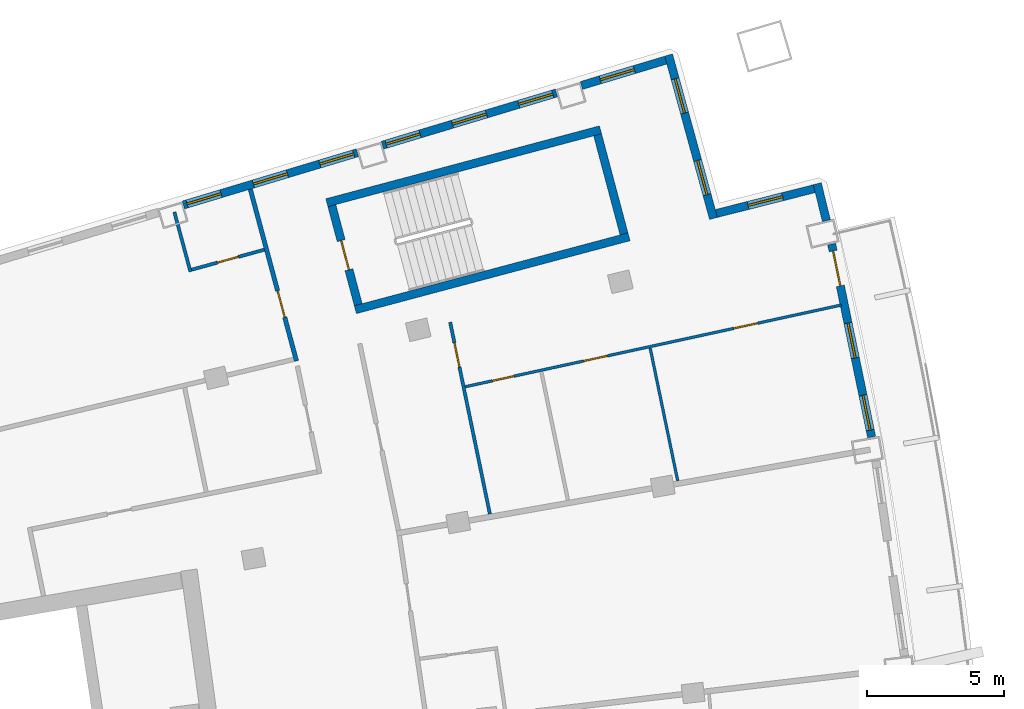
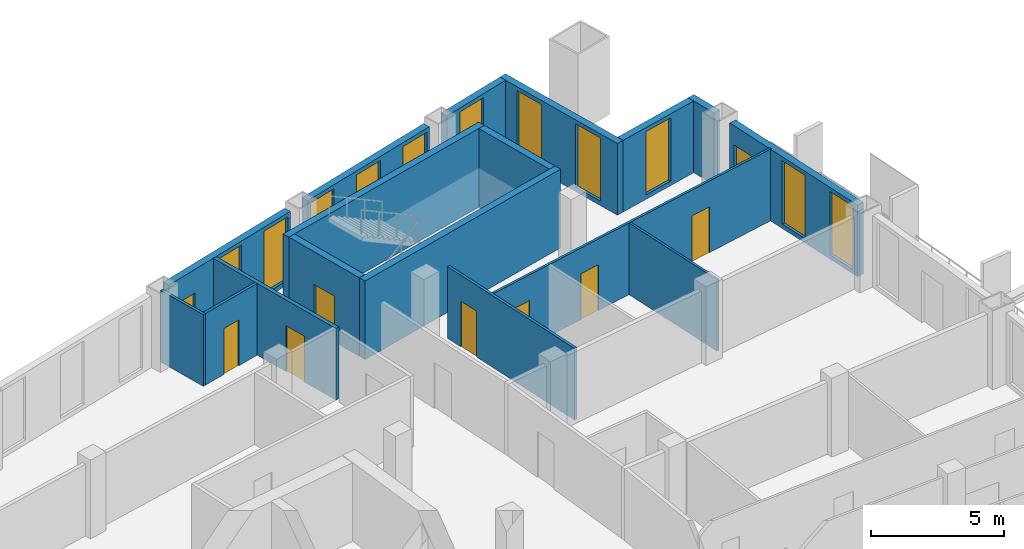
# One storey, part 15 of 19: 17 walls, 12 windows, 8 doors, 20 openings.
"""IFC4 building model written with IfcOpenShell, lengths in metres."""

from ifc_helpers import new_model, si_unit, direction, frame, frame_2d, origin, place, context, subcontext, project, spatial, rectangle, extrude, material, layer, layer_set, type_object, element, fill, save


model = new_model("IFC4")

# Units and contexts
model_context = context("Model", 3, precision=1e-05, world=origin(), true_north=direction((0.0, 1.0)))
body_context = subcontext(model_context, "Body", "Model", "MODEL_VIEW")
ifc_project = project(units=[si_unit("LENGTHUNIT", "METRE"), si_unit("AREAUNIT", "SQUARE_METRE"), si_unit("VOLUMEUNIT", "CUBIC_METRE"), si_unit("PLANEANGLEUNIT", "RADIAN"), si_unit("MASSUNIT", "GRAM", prefix="KILO")], contexts=[model_context])

# Site, building, storey
site_placement = place(None, origin())
site = spatial("IfcSite", under=ifc_project, at=site_placement, CompositionType="ELEMENT")
building_placement = place(site_placement, origin())
building = spatial("IfcBuilding", under=site, at=building_placement, Name="Alderwake Tower", CompositionType="ELEMENT")
storey_placement = place(building_placement, frame((0.0, 0.0, 192.800048828125)))
storey = spatial("IfcBuildingStorey", under=building, at=storey_placement, Name="L47", CompositionType="ELEMENT", Elevation=192.800048828125)

# Walls
ifc_material_1 = material(Name="Concrete C70/85", Category="concrete")
ifc_layer_1 = layer(ifc_material_1, 0.300048828125)
ifc_layer_set_1 = layer_set([ifc_layer_1], Name="Core wall stair enclosure 300 C70-85")
wall_type_1 = type_object("IfcWallType", Name="Core wall stair enclosure 300 C70-85", PredefinedType="SHEAR", material=ifc_layer_set_1)
for number, where, z_axis, x_axis, name in (
    (1, (36.71142578125, 94.182373046875, 0.0), (0.0, 0.0, 1.0), (0.966309214305, 0.257383958996, 0.0), "Core wall CW.082"),
    (2, (37.75390625, 90.268798828125, 0.0), (0.0, 0.0, 1.0), (0.966309214305, 0.257383958996, 0.0), "Core wall CW.084"),
):
    element("IfcWall", number, at=place(storey_placement, frame(where, z_axis=z_axis, x_axis=x_axis)), inside=storey, type_object=wall_type_1, Name=name, PredefinedType="SHEAR", context=body_context, shape_type="SweptSolid", body=[
        extrude(rectangle(XDim=10.360107421875, YDim=0.300048828125, at=frame_2d((5.18017578125, 0.0))), origin(), (0.0, 0.0, 1.0), 3.599853515625),
    ])

# Wall, opening, door
wall_1_placement = place(storey_placement, frame((37.8603515625, 90.452392578125, 0.0), z_axis=(0.0, 0.0, 1.0), x_axis=(-0.257411420208, 0.966301899381, 0.0)))
wall_1 = element("IfcWall", 3, at=wall_1_placement, inside=storey, type_object=wall_type_1, Name="Core wall CW.083", PredefinedType="SHEAR", context=body_context, shape_type="SweptSolid", body=[
    extrude(rectangle(XDim=3.750244140625, YDim=0.300048828125, at=frame_2d((1.875, 0.0))), origin(), (0.0, 0.0, 1.0), 3.599853515625),
])
opening_1_placement = place(wall_1_placement, frame((1.324951171875, 0.0, 0.0)))
opening_1 = element("IfcOpeningElement", 4, at=opening_1_placement, cuts=wall_1, Name="Opening C062", PredefinedType="OPENING", context=body_context, shape_type="SweptSolid", body=[
    extrude(rectangle(XDim=1.10009765625, YDim=2.10009765625, at=frame_2d((0.550048828125, 1.050048828125))), frame((0.0, 0.159912109375, 0.0), z_axis=(0.0, -1.0, 0.0), x_axis=(1.0, 0.0, 0.0)), (0.0, 0.0, 1.0), 0.320068359375),
])
ifc_material_2 = material(Name="Steel-framed fire door leaf", Category="steel")
door_type_1 = type_object("IfcDoorType", Name="Core stair door 1100 fire-rated", OperationType="SINGLE_SWING_LEFT", PredefinedType="DOOR", material=ifc_material_2)
door_1_placement = place(opening_1_placement, origin())
door_1 = element("IfcDoor", 5, at=door_1_placement, inside=storey, type_object=door_type_1, Name="Stair door", OperationType="SINGLE_SWING_LEFT", OverallHeight=2.10009765625, OverallWidth=1.10009765625, PredefinedType="DOOR", context=body_context, shape_type="SweptSolid", body=[
    extrude(rectangle(XDim=1.10009765625, YDim=2.10009765625, at=frame_2d((0.550048828125, 1.050048828125))), frame((0.0, 0.02490234375, 0.0), z_axis=(0.0, -1.0, 0.0), x_axis=(1.0, 0.0, 0.0)), (0.0, 0.0, 1.0), 0.050048828125),
])
fill(opening_1, door_1)

# Wall
wall_2_placement = place(storey_placement, frame((47.581298828125, 93.041748046875, 0.0), z_axis=(0.0, 0.0, 1.0), x_axis=(-0.257366821694, 0.966313778796, 0.0)))
element("IfcWall", 6, at=wall_2_placement, inside=storey, type_object=wall_type_1, Name="Core wall CW.081", PredefinedType="SHEAR", context=body_context, shape_type="SweptSolid", body=[
    extrude(rectangle(XDim=3.749755859375, YDim=0.300048828125, at=frame_2d((1.875, 0.0))), origin(), (0.0, 0.0, 1.0), 3.599853515625),
])

# Wall, opening, door
ifc_material_3 = material(Name="Gypsum board on metal studs, rated")
ifc_layer_2 = layer(ifc_material_3, 0.159912109375)
ifc_layer_set_2 = layer_set([ifc_layer_2], Name="Corridor wall 160")
wall_type_2 = type_object("IfcWallType", Name="Corridor wall 160", PredefinedType="PARTITIONING", material=ifc_layer_set_2)
wall_3_placement = place(storey_placement, frame((35.600830078125, 88.392578125, 0.0), z_axis=(0.0, 0.0, 1.0), x_axis=(-0.259509260101, 0.965740619381, 0.0)))
wall_3 = element("IfcWall", 7, at=wall_3_placement, inside=storey, type_object=wall_type_2, Name="WL/L47/W14", PredefinedType="PARTITIONING", context=body_context, shape_type="SweptSolid", body=[
    extrude(rectangle(XDim=6.50732421875, YDim=0.159912109375, at=frame_2d((3.253662109375, 0.0))), origin(), (0.0, 0.0, 1.0), 3.280029296875),
])
opening_2_placement = place(wall_3_placement, frame((1.65771484375, 0.0, 0.0)))
opening_2 = element("IfcOpeningElement", 8, at=opening_2_placement, cuts=wall_3, Name="Opening R13-U09.1", PredefinedType="OPENING", context=body_context, shape_type="SweptSolid", body=[
    extrude(rectangle(XDim=1.0, YDim=2.10009765625, at=frame_2d((0.5, 1.050048828125))), frame((0.0, 0.08984375, 0.0), z_axis=(0.0, -1.0, 0.0), x_axis=(1.0, 0.0, 0.0)), (0.0, 0.0, 1.0), 0.179931640625),
])
ifc_material_4 = material(Name="Solid timber leaf in steel frame", Category="steel")
door_type_2 = type_object("IfcDoorType", Name="Flat entrance door 1000 fire-rated", OperationType="SINGLE_SWING_LEFT", PredefinedType="DOOR", material=ifc_material_4)
door_2_placement = place(opening_2_placement, origin())
door_2 = element("IfcDoor", 9, at=door_2_placement, inside=storey, type_object=door_type_2, Name="DR/L47/U09.1", OperationType="SINGLE_SWING_LEFT", OverallHeight=2.10009765625, OverallWidth=1.0, PredefinedType="DOOR", context=body_context, shape_type="SweptSolid", body=[
    extrude(rectangle(XDim=1.0, YDim=2.10009765625, at=frame_2d((0.5, 1.050048828125))), frame((0.0, 0.02490234375, 0.0), z_axis=(0.0, -1.0, 0.0), x_axis=(1.0, 0.0, 0.0)), (0.0, 0.0, 1.0), 0.050048828125),
])
fill(opening_2, door_2)

# Wall, openings, door, windows
ifc_material_5 = material(Name="Precast concrete C50/60 spandrel panel", Category="concrete")
ifc_layer_3 = layer(ifc_material_5, 0.300048828125)
ifc_layer_set_3 = layer_set([ifc_layer_3], Name="External wall EW1 Precast concrete C50/60 spandrel")
wall_type_3 = type_object("IfcWallType", Name="External wall EW1 Precast concrete C50/60 spandrel", PredefinedType="SOLIDWALL", material=ifc_layer_set_3)
wall_4_placement = place(storey_placement, frame((56.638427734375, 85.613037109375, 0.0), z_axis=(0.0, 0.0, 1.0), x_axis=(-0.202740086823, 0.979232585852, 0.0)))
wall_4 = element("IfcWall", 10, at=wall_4_placement, inside=storey, type_object=wall_type_3, Name="External wall 19", PredefinedType="SOLIDWALL", context=body_context, shape_type="SweptSolid", body=[
    extrude(rectangle(XDim=7.20361328125, YDim=0.300048828125, at=frame_2d((3.601806640625, 0.0))), origin(), (0.0, 0.0, 1.0), 3.280029296875),
])
opening_3_placement = place(wall_4_placement, frame((0.257080078125, 0.0, 0.199951171875)))
opening_3 = element("IfcOpeningElement", 11, at=opening_3_placement, cuts=wall_4, Name="Opening W1", PredefinedType="OPENING", context=body_context, shape_type="SweptSolid", body=[
    extrude(rectangle(XDim=1.300048828125, YDim=2.89990234375, at=frame_2d((0.64990234375, 1.449951171875))), frame((0.0, 0.159912109375, 0.0), z_axis=(0.0, -1.0, 0.0), x_axis=(1.0, 0.0, 0.0)), (0.0, 0.0, 1.0), 0.320068359375),
])
opening_4_placement = place(wall_4_placement, frame((2.951904296875, 0.0, 0.199951171875)))
opening_4 = element("IfcOpeningElement", 12, at=opening_4_placement, cuts=wall_4, Name="Opening W1", PredefinedType="OPENING", context=body_context, shape_type="SweptSolid", body=[
    extrude(rectangle(XDim=1.300048828125, YDim=2.89990234375, at=frame_2d((0.64990234375, 1.449951171875))), frame((0.0, 0.159912109375, 0.0), z_axis=(0.0, -1.0, 0.0), x_axis=(1.0, 0.0, 0.0)), (0.0, 0.0, 1.0), 0.320068359375),
])
opening_5_placement = place(wall_4_placement, frame((5.646484375, 0.0, 0.0)))
opening_5 = element("IfcOpeningElement", 13, at=opening_5_placement, cuts=wall_4, Name="Opening D08", PredefinedType="OPENING", context=body_context, shape_type="SweptSolid", body=[
    extrude(rectangle(XDim=1.300048828125, YDim=2.39990234375, at=frame_2d((0.64990234375, 1.199951171875))), frame((0.0, 0.159912109375, 0.0), z_axis=(0.0, -1.0, 0.0), x_axis=(1.0, 0.0, 0.0)), (0.0, 0.0, 1.0), 0.320068359375),
])
ifc_material_6 = material(Name="Bronze tinted glass in aluminium frame", Category="aluminium")
door_type_3 = type_object("IfcDoorType", Name="Balcony door BD sliding", OperationType="SLIDING_TO_LEFT", PredefinedType="DOOR", material=ifc_material_6)
door_3_placement = place(opening_5_placement, origin())
door_3 = element("IfcDoor", 14, at=door_3_placement, inside=storey, type_object=door_type_3, Name="Door D08", OperationType="SLIDING_TO_LEFT", OverallHeight=2.39990234375, OverallWidth=1.300048828125, PredefinedType="DOOR", context=body_context, shape_type="SweptSolid", body=[
    extrude(rectangle(XDim=1.300048828125, YDim=2.39990234375, at=frame_2d((0.64990234375, 1.199951171875))), frame((0.0, 0.02490234375, 0.0), z_axis=(0.0, -1.0, 0.0), x_axis=(1.0, 0.0, 0.0)), (0.0, 0.0, 1.0), 0.050048828125),
])
fill(opening_5, door_3)
ifc_material_7 = material(Name="Bronze tinted glass in aluminium frame", Category="aluminium")
window_type_1 = type_object("IfcWindowType", Name="Window W1 tall fixed and vent", PartitioningType="DOUBLE_PANEL_VERTICAL", PredefinedType="WINDOW", material=ifc_material_7)
window_1_placement = place(opening_3_placement, origin())
window_1 = element("IfcWindow", 15, at=window_1_placement, inside=storey, type_object=window_type_1, Name="Window W1 tall fixed and vent", OverallHeight=2.89990234375, OverallWidth=1.300048828125, PartitioningType="DOUBLE_PANEL_VERTICAL", PredefinedType="WINDOW", context=body_context, shape_type="SweptSolid", body=[
    extrude(rectangle(XDim=1.300048828125, YDim=2.89990234375, at=frame_2d((0.64990234375, 1.449951171875))), frame((0.0, 0.030029296875, 0.0), z_axis=(0.0, -1.0, 0.0), x_axis=(1.0, 0.0, 0.0)), (0.0, 0.0, 1.0), 0.06005859375),
])
fill(opening_3, window_1)
window_2_placement = place(opening_4_placement, origin())
window_2 = element("IfcWindow", 16, at=window_2_placement, inside=storey, type_object=window_type_1, Name="Window W1 tall fixed and vent", OverallHeight=2.89990234375, OverallWidth=1.300048828125, PartitioningType="DOUBLE_PANEL_VERTICAL", PredefinedType="WINDOW", context=body_context, shape_type="SweptSolid", body=[
    extrude(rectangle(XDim=1.300048828125, YDim=2.89990234375, at=frame_2d((0.64990234375, 1.449951171875))), frame((0.0, 0.030029296875, 0.0), z_axis=(0.0, -1.0, 0.0), x_axis=(1.0, 0.0, 0.0)), (0.0, 0.0, 1.0), 0.06005859375),
])
fill(opening_4, window_2)

# Wall
wall_5_placement = place(storey_placement, frame((54.984619140625, 93.523193359375, 0.0), z_axis=(0.0, 0.0, 1.0), x_axis=(-0.238290079451, 0.971194026977, 0.0)))
element("IfcWall", 17, at=wall_5_placement, inside=storey, type_object=wall_type_3, Name="External wall 20", PredefinedType="SOLIDWALL", context=body_context, shape_type="SweptSolid", body=[
    extrude(rectangle(XDim=1.39453125, YDim=0.300048828125, at=frame_2d((0.697265625, 0.0))), origin(), (0.0, 0.0, 1.0), 3.280029296875),
])

# Wall, opening, window
ifc_material_8 = material(Name="Bronze metal cladding on lightweight framing")
ifc_layer_4 = layer(ifc_material_8, 0.300048828125)
ifc_layer_set_4 = layer_set([ifc_layer_4], Name="External wall EW2 bronze metal cladding")
wall_type_4 = type_object("IfcWallType", Name="External wall EW2 bronze metal cladding", PredefinedType="SOLIDWALL", material=ifc_layer_set_4)
wall_6_placement = place(storey_placement, frame((54.542724609375, 94.695068359375, 0.0), z_axis=(0.0, 0.0, 1.0), x_axis=(-0.96941119971, -0.245442306614, 0.0)))
wall_6 = element("IfcWall", 18, at=wall_6_placement, inside=storey, type_object=wall_type_4, Name="External wall 21", PredefinedType="SOLIDWALL", context=body_context, shape_type="SweptSolid", body=[
    extrude(rectangle(XDim=3.6943359375, YDim=0.300048828125, at=frame_2d((1.84716796875, 0.0))), origin(), (0.0, 0.0, 1.0), 3.280029296875),
])
opening_6_placement = place(wall_6_placement, frame((1.197021484375, 0.0, 0.199951171875)))
opening_6 = element("IfcOpeningElement", 19, at=opening_6_placement, cuts=wall_6, Name="Opening W1", PredefinedType="OPENING", context=body_context, shape_type="SweptSolid", body=[
    extrude(rectangle(XDim=1.300048828125, YDim=2.89990234375, at=frame_2d((0.64990234375, 1.449951171875))), frame((0.0, 0.159912109375, 0.0), z_axis=(0.0, -1.0, 0.0), x_axis=(1.0, 0.0, 0.0)), (0.0, 0.0, 1.0), 0.320068359375),
])
window_3_placement = place(opening_6_placement, origin())
window_3 = element("IfcWindow", 20, at=window_3_placement, inside=storey, type_object=window_type_1, Name="Window W1 tall fixed and vent", OverallHeight=2.89990234375, OverallWidth=1.300048828125, PartitioningType="DOUBLE_PANEL_VERTICAL", PredefinedType="WINDOW", context=body_context, shape_type="SweptSolid", body=[
    extrude(rectangle(XDim=1.300048828125, YDim=2.89990234375, at=frame_2d((0.64990234375, 1.449951171875))), frame((0.0, 0.030029296875, 0.0), z_axis=(0.0, -1.0, 0.0), x_axis=(1.0, 0.0, 0.0)), (0.0, 0.0, 1.0), 0.06005859375),
])
fill(opening_6, window_3)

# Wall, openings, windows
wall_7_placement = place(storey_placement, frame((50.855712890625, 93.60693359375, 0.0), z_axis=(0.0, 0.0, 1.0), x_axis=(-0.265079594789, 0.96422653377, 0.0)))
wall_7 = element("IfcWall", 21, at=wall_7_placement, inside=storey, type_object=wall_type_4, Name="External wall 22", PredefinedType="SOLIDWALL", context=body_context, shape_type="SweptSolid", body=[
    extrude(rectangle(XDim=6.19921875, YDim=0.300048828125, at=frame_2d((3.099609375, 0.0))), origin(), (0.0, 0.0, 1.0), 3.280029296875),
])
opening_7_placement = place(wall_7_placement, frame((0.89990234375, 0.0, 0.199951171875)))
opening_7 = element("IfcOpeningElement", 22, at=opening_7_placement, cuts=wall_7, Name="Opening W1", PredefinedType="OPENING", context=body_context, shape_type="SweptSolid", body=[
    extrude(rectangle(XDim=1.300048828125, YDim=2.89990234375, at=frame_2d((0.64990234375, 1.449951171875))), frame((0.0, 0.159912109375, 0.0), z_axis=(0.0, -1.0, 0.0), x_axis=(1.0, 0.0, 0.0)), (0.0, 0.0, 1.0), 0.320068359375),
])
opening_8_placement = place(wall_7_placement, frame((3.99951171875, 0.0, 0.199951171875)))
opening_8 = element("IfcOpeningElement", 23, at=opening_8_placement, cuts=wall_7, Name="Opening W1", PredefinedType="OPENING", context=body_context, shape_type="SweptSolid", body=[
    extrude(rectangle(XDim=1.300048828125, YDim=2.89990234375, at=frame_2d((0.64990234375, 1.449951171875))), frame((0.0, 0.159912109375, 0.0), z_axis=(0.0, -1.0, 0.0), x_axis=(1.0, 0.0, 0.0)), (0.0, 0.0, 1.0), 0.320068359375),
])
window_4_placement = place(opening_7_placement, origin())
window_4 = element("IfcWindow", 24, at=window_4_placement, inside=storey, type_object=window_type_1, Name="Window W1 tall fixed and vent", OverallHeight=2.89990234375, OverallWidth=1.300048828125, PartitioningType="DOUBLE_PANEL_VERTICAL", PredefinedType="WINDOW", context=body_context, shape_type="SweptSolid", body=[
    extrude(rectangle(XDim=1.300048828125, YDim=2.89990234375, at=frame_2d((0.64990234375, 1.449951171875))), frame((0.0, 0.030029296875, 0.0), z_axis=(0.0, -1.0, 0.0), x_axis=(1.0, 0.0, 0.0)), (0.0, 0.0, 1.0), 0.06005859375),
])
fill(opening_7, window_4)
window_5_placement = place(opening_8_placement, origin())
window_5 = element("IfcWindow", 25, at=window_5_placement, inside=storey, type_object=window_type_1, Name="Window W1 tall fixed and vent", OverallHeight=2.89990234375, OverallWidth=1.300048828125, PartitioningType="DOUBLE_PANEL_VERTICAL", PredefinedType="WINDOW", context=body_context, shape_type="SweptSolid", body=[
    extrude(rectangle(XDim=1.300048828125, YDim=2.89990234375, at=frame_2d((0.64990234375, 1.449951171875))), frame((0.0, 0.030029296875, 0.0), z_axis=(0.0, -1.0, 0.0), x_axis=(1.0, 0.0, 0.0)), (0.0, 0.0, 1.0), 0.06005859375),
])
fill(opening_8, window_5)

# Wall, opening, window
wall_8_placement = place(storey_placement, frame((49.1083984375, 99.396728515625, 0.0), z_axis=(0.0, 0.0, 1.0), x_axis=(-0.957765770584, -0.287549523906, 0.0)))
wall_8 = element("IfcWall", 26, at=wall_8_placement, inside=storey, type_object=wall_type_4, Name="External wall 23", PredefinedType="SOLIDWALL", context=body_context, shape_type="SweptSolid", body=[
    extrude(rectangle(XDim=3.22119140625, YDim=0.300048828125, at=frame_2d((1.610595703125, 0.0))), origin(), (0.0, 0.0, 1.0), 3.280029296875),
])
opening_9_placement = place(wall_8_placement, frame((1.198974609375, 0.0, 0.199951171875)))
opening_9 = element("IfcOpeningElement", 27, at=opening_9_placement, cuts=wall_8, Name="Opening W1", PredefinedType="OPENING", context=body_context, shape_type="SweptSolid", body=[
    extrude(rectangle(XDim=1.300048828125, YDim=2.89990234375, at=frame_2d((0.64990234375, 1.449951171875))), frame((0.0, 0.159912109375, 0.0), z_axis=(0.0, -1.0, 0.0), x_axis=(1.0, 0.0, 0.0)), (0.0, 0.0, 1.0), 0.320068359375),
])
window_6_placement = place(opening_9_placement, origin())
window_6 = element("IfcWindow", 28, at=window_6_placement, inside=storey, type_object=window_type_1, Name="Window W1 tall fixed and vent", OverallHeight=2.89990234375, OverallWidth=1.300048828125, PartitioningType="DOUBLE_PANEL_VERTICAL", PredefinedType="WINDOW", context=body_context, shape_type="SweptSolid", body=[
    extrude(rectangle(XDim=1.300048828125, YDim=2.89990234375, at=frame_2d((0.64990234375, 1.449951171875))), frame((0.0, 0.030029296875, 0.0), z_axis=(0.0, -1.0, 0.0), x_axis=(1.0, 0.0, 0.0)), (0.0, 0.0, 1.0), 0.06005859375),
])
fill(opening_9, window_6)

# Wall, openings, windows
wall_9_placement = place(storey_placement, frame((45.110107421875, 98.1962890625, 0.0), z_axis=(0.0, 0.0, 1.0), x_axis=(-0.957757511153, -0.287577032861, 0.0)))
wall_9 = element("IfcWall", 29, at=wall_9_placement, inside=storey, type_object=wall_type_4, Name="External wall 24", PredefinedType="SOLIDWALL", context=body_context, shape_type="SweptSolid", body=[
    extrude(rectangle(XDim=6.646484375, YDim=0.300048828125, at=frame_2d((3.3232421875, 0.0))), origin(), (0.0, 0.0, 1.0), 3.280029296875),
])
opening_10_placement = place(wall_9_placement, frame((0.139892578125, 0.0, 0.199951171875)))
opening_10 = element("IfcOpeningElement", 30, at=opening_10_placement, cuts=wall_9, Name="Opening W1", PredefinedType="OPENING", context=body_context, shape_type="SweptSolid", body=[
    extrude(rectangle(XDim=1.300048828125, YDim=2.89990234375, at=frame_2d((0.64990234375, 1.449951171875))), frame((0.0, 0.159912109375, 0.0), z_axis=(0.0, -1.0, 0.0), x_axis=(1.0, 0.0, 0.0)), (0.0, 0.0, 1.0), 0.320068359375),
])
opening_11_placement = place(wall_9_placement, frame((2.67333984375, 0.0, 0.199951171875)))
opening_11 = element("IfcOpeningElement", 31, at=opening_11_placement, cuts=wall_9, Name="Opening W1", PredefinedType="OPENING", context=body_context, shape_type="SweptSolid", body=[
    extrude(rectangle(XDim=1.300048828125, YDim=2.89990234375, at=frame_2d((0.64990234375, 1.449951171875))), frame((0.0, 0.159912109375, 0.0), z_axis=(0.0, -1.0, 0.0), x_axis=(1.0, 0.0, 0.0)), (0.0, 0.0, 1.0), 0.320068359375),
])
opening_12_placement = place(wall_9_placement, frame((5.206787109375, 0.0, 0.199951171875)))
opening_12 = element("IfcOpeningElement", 32, at=opening_12_placement, cuts=wall_9, Name="Opening W1", PredefinedType="OPENING", context=body_context, shape_type="SweptSolid", body=[
    extrude(rectangle(XDim=1.300048828125, YDim=2.89990234375, at=frame_2d((0.64990234375, 1.449951171875))), frame((0.0, 0.159912109375, 0.0), z_axis=(0.0, -1.0, 0.0), x_axis=(1.0, 0.0, 0.0)), (0.0, 0.0, 1.0), 0.320068359375),
])
window_7_placement = place(opening_10_placement, origin())
window_7 = element("IfcWindow", 33, at=window_7_placement, inside=storey, type_object=window_type_1, Name="Window W1 tall fixed and vent", OverallHeight=2.89990234375, OverallWidth=1.300048828125, PartitioningType="DOUBLE_PANEL_VERTICAL", PredefinedType="WINDOW", context=body_context, shape_type="SweptSolid", body=[
    extrude(rectangle(XDim=1.300048828125, YDim=2.89990234375, at=frame_2d((0.64990234375, 1.449951171875))), frame((0.0, 0.030029296875, 0.0), z_axis=(0.0, -1.0, 0.0), x_axis=(1.0, 0.0, 0.0)), (0.0, 0.0, 1.0), 0.06005859375),
])
fill(opening_10, window_7)
window_8_placement = place(opening_11_placement, origin())
window_8 = element("IfcWindow", 34, at=window_8_placement, inside=storey, type_object=window_type_1, Name="Window W1 tall fixed and vent", OverallHeight=2.89990234375, OverallWidth=1.300048828125, PartitioningType="DOUBLE_PANEL_VERTICAL", PredefinedType="WINDOW", context=body_context, shape_type="SweptSolid", body=[
    extrude(rectangle(XDim=1.300048828125, YDim=2.89990234375, at=frame_2d((0.64990234375, 1.449951171875))), frame((0.0, 0.030029296875, 0.0), z_axis=(0.0, -1.0, 0.0), x_axis=(1.0, 0.0, 0.0)), (0.0, 0.0, 1.0), 0.06005859375),
])
fill(opening_11, window_8)
window_9_placement = place(opening_12_placement, origin())
window_9 = element("IfcWindow", 35, at=window_9_placement, inside=storey, type_object=window_type_1, Name="Window W1 tall fixed and vent", OverallHeight=2.89990234375, OverallWidth=1.300048828125, PartitioningType="DOUBLE_PANEL_VERTICAL", PredefinedType="WINDOW", context=body_context, shape_type="SweptSolid", body=[
    extrude(rectangle(XDim=1.300048828125, YDim=2.89990234375, at=frame_2d((0.64990234375, 1.449951171875))), frame((0.0, 0.030029296875, 0.0), z_axis=(0.0, -1.0, 0.0), x_axis=(1.0, 0.0, 0.0)), (0.0, 0.0, 1.0), 0.06005859375),
])
fill(opening_12, window_9)

wall_10_placement = place(storey_placement, frame((37.830810546875, 96.0107421875, 0.0), z_axis=(0.0, 0.0, 1.0), x_axis=(-0.957767627806, -0.287543337825, 0.0)))
wall_10 = element("IfcWall", 36, at=wall_10_placement, inside=storey, type_object=wall_type_4, Name="External wall 25", PredefinedType="SOLIDWALL", context=body_context, shape_type="SweptSolid", body=[
    extrude(rectangle(XDim=6.646484375, YDim=0.300048828125, at=frame_2d((3.3232421875, 0.0))), origin(), (0.0, 0.0, 1.0), 3.280029296875),
])
opening_13_placement = place(wall_10_placement, frame((0.139892578125, 0.0, 0.199951171875)))
opening_13 = element("IfcOpeningElement", 37, at=opening_13_placement, cuts=wall_10, Name="Opening W1", PredefinedType="OPENING", context=body_context, shape_type="SweptSolid", body=[
    extrude(rectangle(XDim=1.300048828125, YDim=2.89990234375, at=frame_2d((0.64990234375, 1.449951171875))), frame((0.0, 0.159912109375, 0.0), z_axis=(0.0, -1.0, 0.0), x_axis=(1.0, 0.0, 0.0)), (0.0, 0.0, 1.0), 0.320068359375),
])
opening_14_placement = place(wall_10_placement, frame((2.67333984375, 0.0, 0.199951171875)))
opening_14 = element("IfcOpeningElement", 38, at=opening_14_placement, cuts=wall_10, Name="Opening W1", PredefinedType="OPENING", context=body_context, shape_type="SweptSolid", body=[
    extrude(rectangle(XDim=1.300048828125, YDim=2.89990234375, at=frame_2d((0.64990234375, 1.449951171875))), frame((0.0, 0.159912109375, 0.0), z_axis=(0.0, -1.0, 0.0), x_axis=(1.0, 0.0, 0.0)), (0.0, 0.0, 1.0), 0.320068359375),
])
opening_15_placement = place(wall_10_placement, frame((5.206787109375, 0.0, 1.0)))
opening_15 = element("IfcOpeningElement", 39, at=opening_15_placement, cuts=wall_10, Name="Opening W2", PredefinedType="OPENING", context=body_context, shape_type="SweptSolid", body=[
    extrude(rectangle(XDim=1.300048828125, YDim=1.199951171875, at=frame_2d((0.64990234375, 0.60009765625))), frame((0.0, 0.159912109375, 0.0), z_axis=(0.0, -1.0, 0.0), x_axis=(1.0, 0.0, 0.0)), (0.0, 0.0, 1.0), 0.320068359375),
])
window_10_placement = place(opening_13_placement, origin())
window_10 = element("IfcWindow", 40, at=window_10_placement, inside=storey, type_object=window_type_1, Name="Window W1 tall fixed and vent", OverallHeight=2.89990234375, OverallWidth=1.300048828125, PartitioningType="DOUBLE_PANEL_VERTICAL", PredefinedType="WINDOW", context=body_context, shape_type="SweptSolid", body=[
    extrude(rectangle(XDim=1.300048828125, YDim=2.89990234375, at=frame_2d((0.64990234375, 1.449951171875))), frame((0.0, 0.030029296875, 0.0), z_axis=(0.0, -1.0, 0.0), x_axis=(1.0, 0.0, 0.0)), (0.0, 0.0, 1.0), 0.06005859375),
])
fill(opening_13, window_10)
window_11_placement = place(opening_14_placement, origin())
window_11 = element("IfcWindow", 41, at=window_11_placement, inside=storey, type_object=window_type_1, Name="Window W1 tall fixed and vent", OverallHeight=2.89990234375, OverallWidth=1.300048828125, PartitioningType="DOUBLE_PANEL_VERTICAL", PredefinedType="WINDOW", context=body_context, shape_type="SweptSolid", body=[
    extrude(rectangle(XDim=1.300048828125, YDim=2.89990234375, at=frame_2d((0.64990234375, 1.449951171875))), frame((0.0, 0.030029296875, 0.0), z_axis=(0.0, -1.0, 0.0), x_axis=(1.0, 0.0, 0.0)), (0.0, 0.0, 1.0), 0.06005859375),
])
fill(opening_14, window_11)
ifc_material_9 = material(Name="Bronze tinted glass in aluminium frame", Category="aluminium")
window_type_2 = type_object("IfcWindowType", Name="Window W2 kitchen and bath", PartitioningType="SINGLE_PANEL", PredefinedType="WINDOW", material=ifc_material_9)
window_12_placement = place(opening_15_placement, origin())
window_12 = element("IfcWindow", 42, at=window_12_placement, inside=storey, type_object=window_type_2, Name="Window W2 kitchen and bath", OverallHeight=1.199951171875, OverallWidth=1.300048828125, PartitioningType="SINGLE_PANEL", PredefinedType="WINDOW", context=body_context, shape_type="SweptSolid", body=[
    extrude(rectangle(XDim=1.300048828125, YDim=1.199951171875, at=frame_2d((0.64990234375, 0.60009765625))), frame((0.0, 0.030029296875, 0.0), z_axis=(0.0, -1.0, 0.0), x_axis=(1.0, 0.0, 0.0)), (0.0, 0.0, 1.0), 0.06005859375),
])
fill(opening_15, window_12)

# Wall, openings, doors
ifc_material_10 = material(Name="Gypsum board on metal studs")
ifc_layer_5 = layer(ifc_material_10, 0.10009765625)
ifc_layer_set_5 = layer_set([ifc_layer_5], Name="Unit partition 100")
wall_type_5 = type_object("IfcWallType", Name="Unit partition 100", PredefinedType="PARTITIONING", material=ifc_layer_set_5)
wall_11_placement = place(storey_placement, frame((55.535888671875, 90.44091796875, 0.0), z_axis=(0.0, 0.0, 1.0), x_axis=(-0.977199201012, -0.212324566507, 0.0)))
wall_11 = element("IfcWall", 43, at=wall_11_placement, inside=storey, type_object=wall_type_5, Name="WL/L47/W48", PredefinedType="PARTITIONING", context=body_context, shape_type="SweptSolid", body=[
    extrude(rectangle(XDim=14.083251953125, YDim=0.10009765625, at=frame_2d((7.04150390625, 0.0))), origin(), (0.0, 0.0, 1.0), 3.280029296875),
])
opening_16_placement = place(wall_11_placement, frame((8.757568359375, 0.0, 0.0)))
opening_16 = element("IfcOpeningElement", 44, at=opening_16_placement, cuts=wall_11, Name="Opening R13-U07.1", PredefinedType="OPENING", context=body_context, shape_type="SweptSolid", body=[
    extrude(rectangle(XDim=0.89990234375, YDim=2.10009765625, at=frame_2d((0.449951171875, 1.050048828125))), frame((0.0, 0.06005859375, 0.0), z_axis=(0.0, -1.0, 0.0), x_axis=(1.0, 0.0, 0.0)), (0.0, 0.0, 1.0), 0.1201171875),
])
opening_17_placement = place(wall_11_placement, frame((12.26416015625, 0.0, 0.0)))
opening_17 = element("IfcOpeningElement", 45, at=opening_17_placement, cuts=wall_11, Name="Opening R13-U07.4", PredefinedType="OPENING", context=body_context, shape_type="SweptSolid", body=[
    extrude(rectangle(XDim=0.800048828125, YDim=2.10009765625, at=frame_2d((0.39990234375, 1.050048828125))), frame((0.0, 0.06005859375, 0.0), z_axis=(0.0, -1.0, 0.0), x_axis=(1.0, 0.0, 0.0)), (0.0, 0.0, 1.0), 0.1201171875),
])
opening_18_placement = place(wall_11_placement, frame((3.135009765625, 0.0, 0.0)))
opening_18 = element("IfcOpeningElement", 46, at=opening_18_placement, cuts=wall_11, Name="Opening R13-U07.5", PredefinedType="OPENING", context=body_context, shape_type="SweptSolid", body=[
    extrude(rectangle(XDim=0.89990234375, YDim=2.10009765625, at=frame_2d((0.449951171875, 1.050048828125))), frame((0.0, 0.06005859375, 0.0), z_axis=(0.0, -1.0, 0.0), x_axis=(1.0, 0.0, 0.0)), (0.0, 0.0, 1.0), 0.1201171875),
])
ifc_material_11 = material(Name="Painted timber leaf", Category="wood")
door_type_4 = type_object("IfcDoorType", Name="Bathroom door 800", OperationType="SINGLE_SWING_LEFT", PredefinedType="DOOR", material=ifc_material_11)
door_4_placement = place(opening_17_placement, origin())
door_4 = element("IfcDoor", 47, at=door_4_placement, inside=storey, type_object=door_type_4, Name="DR/L47/U07.4", OperationType="SINGLE_SWING_LEFT", OverallHeight=2.10009765625, OverallWidth=0.800048828125, PredefinedType="DOOR", context=body_context, shape_type="SweptSolid", body=[
    extrude(rectangle(XDim=0.800048828125, YDim=2.10009765625, at=frame_2d((0.39990234375, 1.050048828125))), frame((0.0, 0.02490234375, 0.0), z_axis=(0.0, -1.0, 0.0), x_axis=(1.0, 0.0, 0.0)), (0.0, 0.0, 1.0), 0.050048828125),
])
fill(opening_17, door_4)
ifc_material_12 = material(Name="Painted timber leaf", Category="wood")
door_type_5 = type_object("IfcDoorType", Name="Room door 900", OperationType="SINGLE_SWING_LEFT", PredefinedType="DOOR", material=ifc_material_12)
door_5_placement = place(opening_16_placement, origin())
door_5 = element("IfcDoor", 48, at=door_5_placement, inside=storey, type_object=door_type_5, Name="DR/L47/U07.1", OperationType="SINGLE_SWING_LEFT", OverallHeight=2.10009765625, OverallWidth=0.89990234375, PredefinedType="DOOR", context=body_context, shape_type="SweptSolid", body=[
    extrude(rectangle(XDim=0.89990234375, YDim=2.10009765625, at=frame_2d((0.449951171875, 1.050048828125))), frame((0.0, 0.02490234375, 0.0), z_axis=(0.0, -1.0, 0.0), x_axis=(1.0, 0.0, 0.0)), (0.0, 0.0, 1.0), 0.050048828125),
])
fill(opening_16, door_5)
door_6_placement = place(opening_18_placement, origin())
door_6 = element("IfcDoor", 49, at=door_6_placement, inside=storey, type_object=door_type_5, Name="DR/L47/U07.5", OperationType="SINGLE_SWING_LEFT", OverallHeight=2.10009765625, OverallWidth=0.89990234375, PredefinedType="DOOR", context=body_context, shape_type="SweptSolid", body=[
    extrude(rectangle(XDim=0.89990234375, YDim=2.10009765625, at=frame_2d((0.449951171875, 1.050048828125))), frame((0.0, 0.02490234375, 0.0), z_axis=(0.0, -1.0, 0.0), x_axis=(1.0, 0.0, 0.0)), (0.0, 0.0, 1.0), 0.050048828125),
])
fill(opening_18, door_6)

# Walls
wall_12_placement = place(storey_placement, frame((49.545654296875, 84.008056640625, 0.0), z_axis=(0.0, 0.0, 1.0), x_axis=(-0.203007352499, 0.97917721319, 0.0)))
element("IfcWall", 50, at=wall_12_placement, inside=storey, type_object=wall_type_5, Name="WL/L47/W50", PredefinedType="PARTITIONING", context=body_context, shape_type="SweptSolid", body=[
    extrude(rectangle(XDim=4.963134765625, YDim=0.10009765625, at=frame_2d((2.4814453125, 0.0))), origin(), (0.0, 0.0, 1.0), 3.280029296875),
])
ifc_material_13 = material(Name="Moisture resistant gypsum board on metal studs")
ifc_layer_6 = layer(ifc_material_13, 0.1201171875)
ifc_layer_set_6 = layer_set([ifc_layer_6], Name="Wet room partition 120")
wall_type_6 = type_object("IfcWallType", Name="Wet room partition 120", PredefinedType="PARTITIONING", material=ifc_layer_set_6)
wall_13_placement = place(storey_placement, frame((31.134033203125, 93.843017578125, 0.0), z_axis=(0.0, 0.0, 1.0), x_axis=(0.260139854323, -0.965570948296, 0.0)))
element("IfcWall", 51, at=wall_13_placement, inside=storey, type_object=wall_type_6, Name="WL/L47/W30", PredefinedType="PARTITIONING", context=body_context, shape_type="SweptSolid", body=[
    extrude(rectangle(XDim=2.2626953125, YDim=0.1201171875, at=frame_2d((1.13134765625, 0.0))), origin(), (0.0, 0.0, 1.0), 3.280029296875),
])

# Wall, opening, door
wall_14_placement = place(storey_placement, frame((31.764892578125, 91.73193359375, 0.0), z_axis=(0.0, 0.0, 1.0), x_axis=(0.964278304966, 0.264891205163, 0.0)))
wall_14 = element("IfcWall", 52, at=wall_14_placement, inside=storey, type_object=wall_type_6, Name="WL/L47/W32", PredefinedType="PARTITIONING", context=body_context, shape_type="SweptSolid", body=[
    extrude(rectangle(XDim=2.759521484375, YDim=0.1201171875, at=frame_2d((1.3798828125, 0.0))), origin(), (0.0, 0.0, 1.0), 3.280029296875),
])
opening_19_placement = place(wall_14_placement, frame((0.979736328125, 0.0, 0.0)))
opening_19 = element("IfcOpeningElement", 53, at=opening_19_placement, cuts=wall_14, Name="Opening R13-U09.2", PredefinedType="OPENING", context=body_context, shape_type="SweptSolid", body=[
    extrude(rectangle(XDim=0.800048828125, YDim=2.10009765625, at=frame_2d((0.39990234375, 1.050048828125))), frame((0.0, 0.070068359375, 0.0), z_axis=(0.0, -1.0, 0.0), x_axis=(1.0, 0.0, 0.0)), (0.0, 0.0, 1.0), 0.14013671875),
])
door_7_placement = place(opening_19_placement, origin())
door_7 = element("IfcDoor", 54, at=door_7_placement, inside=storey, type_object=door_type_4, Name="DR/L47/U09.2", OperationType="SINGLE_SWING_LEFT", OverallHeight=2.10009765625, OverallWidth=0.800048828125, PredefinedType="DOOR", context=body_context, shape_type="SweptSolid", body=[
    extrude(rectangle(XDim=0.800048828125, YDim=2.10009765625, at=frame_2d((0.39990234375, 1.050048828125))), frame((0.0, 0.02490234375, 0.0), z_axis=(0.0, -1.0, 0.0), x_axis=(1.0, 0.0, 0.0)), (0.0, 0.0, 1.0), 0.050048828125),
])
fill(opening_19, door_7)

wall_15_placement = place(storey_placement, frame((41.222900390625, 89.81103515625, 0.0), z_axis=(0.0, 0.0, 1.0), x_axis=(0.20272162606, -0.979236407783, 0.0)))
wall_15 = element("IfcWall", 55, at=wall_15_placement, inside=storey, type_object=wall_type_6, Name="WL/L47/W35", PredefinedType="PARTITIONING", context=body_context, shape_type="SweptSolid", body=[
    extrude(rectangle(XDim=7.1669921875, YDim=0.1201171875, at=frame_2d((3.58349609375, 0.0))), origin(), (0.0, 0.0, 1.0), 3.280029296875),
])
opening_20_placement = place(wall_15_placement, frame((0.76220703125, 0.0, 0.0)))
opening_20 = element("IfcOpeningElement", 56, at=opening_20_placement, cuts=wall_15, Name="Opening R13-U07.3", PredefinedType="OPENING", context=body_context, shape_type="SweptSolid", body=[
    extrude(rectangle(XDim=0.89990234375, YDim=2.10009765625, at=frame_2d((0.449951171875, 1.050048828125))), frame((0.0, 0.070068359375, 0.0), z_axis=(0.0, -1.0, 0.0), x_axis=(1.0, 0.0, 0.0)), (0.0, 0.0, 1.0), 0.14013671875),
])
door_8_placement = place(opening_20_placement, origin())
door_8 = element("IfcDoor", 57, at=door_8_placement, inside=storey, type_object=door_type_5, Name="DR/L47/U07.3", OperationType="SINGLE_SWING_LEFT", OverallHeight=2.10009765625, OverallWidth=0.89990234375, PredefinedType="DOOR", context=body_context, shape_type="SweptSolid", body=[
    extrude(rectangle(XDim=0.89990234375, YDim=2.10009765625, at=frame_2d((0.449951171875, 1.050048828125))), frame((0.0, 0.02490234375, 0.0), z_axis=(0.0, -1.0, 0.0), x_axis=(1.0, 0.0, 0.0)), (0.0, 0.0, 1.0), 0.050048828125),
])
fill(opening_20, door_8)

save(model, "model.ifc")
